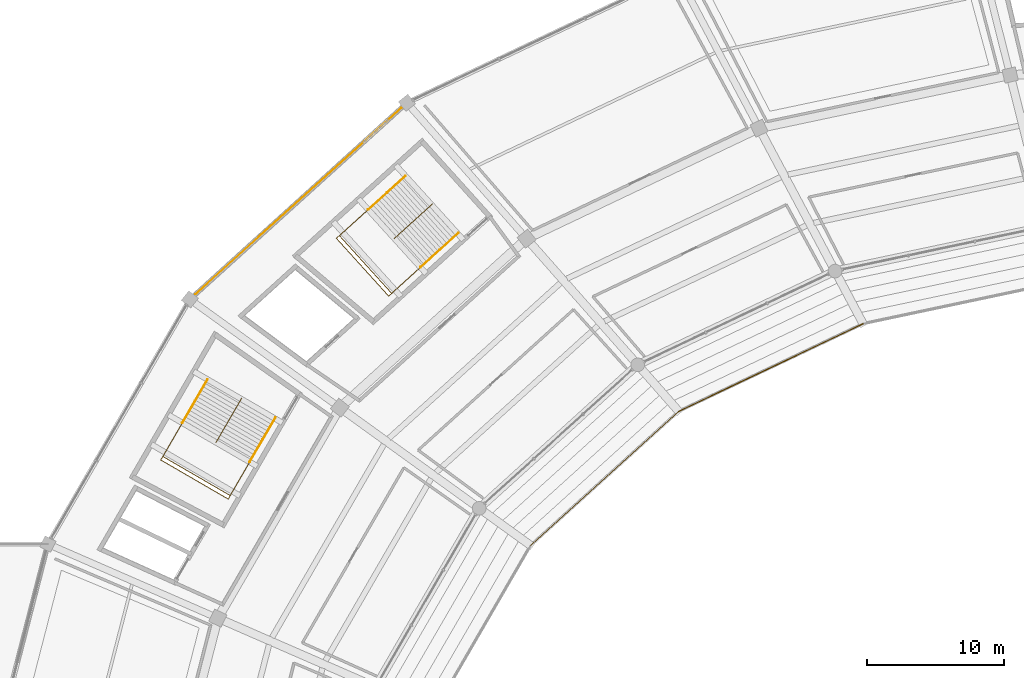
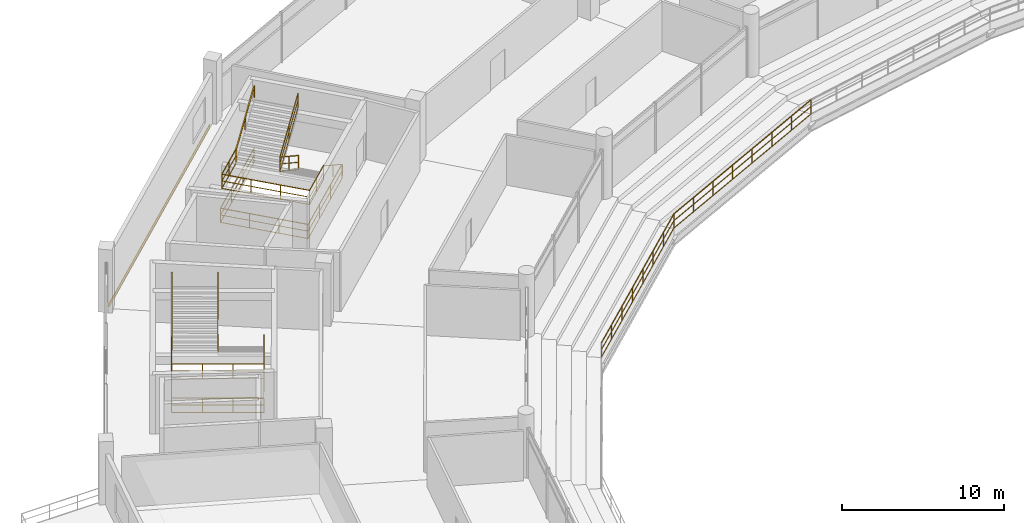
# One storey, part 169 of 171: 12 railings, 1 covering.
"""IFC4 building model written with IfcOpenShell, lengths in metres."""

from ifc_helpers import new_model, si_unit, direction, frame, origin, origin_2d, place, context, subcontext, project, spatial, rectangle, extrude, material, layer, layer_set, type_object, element, save


model = new_model("IFC4")

# Units and contexts
model_context = context("Model", 3, precision=1e-05, world=origin(), true_north=direction((0.0, 1.0)))
body_context = subcontext(model_context, "Body", "Model", "MODEL_VIEW")
ifc_project = project(units=[si_unit("LENGTHUNIT", "METRE"), si_unit("AREAUNIT", "SQUARE_METRE"), si_unit("VOLUMEUNIT", "CUBIC_METRE"), si_unit("PLANEANGLEUNIT", "RADIAN"), si_unit("MASSUNIT", "GRAM", prefix="KILO")], contexts=[model_context])

# Site, building, storey
site_placement = place(None, origin())
site = spatial("IfcSite", under=ifc_project, at=site_placement, CompositionType="ELEMENT")
building_placement = place(site_placement, origin())
building = spatial("IfcBuilding", under=site, at=building_placement, Name="Kazemori Nagisa Stadium", CompositionType="ELEMENT")
storey_placement = place(building_placement, frame((0.0, 0.0, 15.639892578125)))
storey = spatial("IfcBuildingStorey", under=building, at=storey_placement, Name="L03", CompositionType="ELEMENT", Elevation=15.639892578125)

# Covering
ifc_material_1 = material(Name="Anodised aluminium 6063-T5", Category="aluminium")
ifc_layer = layer(ifc_material_1, 0.034912109375, Name="Anodised aluminium 6063-T5", Category="aluminium")
ifc_layer_set = layer_set([ifc_layer], Name="Anodised aluminium 6063-T5")
covering_type = type_object("IfcCoveringType", Name="Covering_CLAD", PredefinedType="CLADDING", material=ifc_layer_set)
covering_placement = place(storey_placement, frame((52.453369140625, 165.86328125, -0.259765625), z_axis=(0.0, 0.0, 1.0), x_axis=(-0.741350875443, -0.671117634607, 0.0)))
element("IfcCovering", 1, at=covering_placement, inside=storey, type_object=covering_type, Name="Anodised fascia cladding L03-B11", PredefinedType="CLADDING", context=body_context, shape_type="SweptSolid", body=[
    extrude(rectangle(XDim=20.34375, YDim=0.0400390625, at=origin_2d()), origin(), (0.0, 0.0, 1.0), 0.260009765625),
])

# Railings
ifc_material_2 = material(Name="Laminated safety glass and stainless steel SUS304", Category="steel")
railing_type_1 = type_object("IfcRailingType", Name="Rail_BAL", PredefinedType="BALUSTRADE", material=ifc_material_2)
railing_1_placement = place(storey_placement, frame((93.80712890625, 156.876708984375, -1.519775390625)))
element("IfcRailing", 2, at=railing_1_placement, inside=storey, type_object=railing_type_1, Name="Club tier front balustrade B10", PredefinedType="BALUSTRADE", context=body_context, shape_type="SweptSolid", body=[
    extrude(rectangle(XDim=0.050048828125, YDim=0.050048828125, at=origin_2d()), frame((0.0, 0.0, 1.09521484375), z_axis=(-0.90321228594, -0.429194089575, 0.0), x_axis=(0.429194089575, -0.90321228594, 0.0)), (0.0, 0.0, 1.0), 14.945556640625),
    extrude(rectangle(XDim=0.03759765625, YDim=0.03759765625, at=origin_2d()), frame((0.0, 0.0, 0.58251953125), z_axis=(-0.90321228594, -0.429194089575, 0.0), x_axis=(0.429194089575, -0.90321228594, 0.0)), (0.0, 0.0, 1.0), 14.945556640625),
    extrude(rectangle(XDim=0.03759765625, YDim=0.03759765625, at=origin_2d()), frame((0.0, 0.0, 0.02490234375), z_axis=(-0.90321228594, -0.429194089575, 0.0), x_axis=(0.429194089575, -0.90321228594, 0.0)), (0.0, 0.0, 1.0), 14.945556640625),
    extrude(rectangle(XDim=0.044921875, YDim=0.044921875, at=origin_2d()), origin(), (0.0, 0.0, 1.0), 1.070068359375),
    extrude(rectangle(XDim=0.044921875, YDim=0.044921875, at=origin_2d()), frame((-1.928466796875, -0.916259765625, 0.0)), (0.0, 0.0, 1.0), 1.070068359375),
    extrude(rectangle(XDim=0.044921875, YDim=0.044921875, at=origin_2d()), frame((-3.85693359375, -1.832763671875, 0.0)), (0.0, 0.0, 1.0), 1.070068359375),
    extrude(rectangle(XDim=0.044921875, YDim=0.044921875, at=origin_2d()), frame((-5.785400390625, -2.7490234375, 0.0)), (0.0, 0.0, 1.0), 1.070068359375),
    extrude(rectangle(XDim=0.044921875, YDim=0.044921875, at=origin_2d()), frame((-7.713623046875, -3.66552734375, 0.0)), (0.0, 0.0, 1.0), 1.070068359375),
    extrude(rectangle(XDim=0.044921875, YDim=0.044921875, at=origin_2d()), frame((-9.64208984375, -4.581787109375, 0.0)), (0.0, 0.0, 1.0), 1.070068359375),
    extrude(rectangle(XDim=0.044921875, YDim=0.044921875, at=origin_2d()), frame((-11.570556640625, -5.498291015625, 0.0)), (0.0, 0.0, 1.0), 1.070068359375),
    extrude(rectangle(XDim=0.044921875, YDim=0.044921875, at=origin_2d()), frame((-13.4990234375, -6.41455078125, 0.0)), (0.0, 0.0, 1.0), 1.070068359375),
])
railing_2_placement = place(storey_placement, frame((80.30810546875, 150.462158203125, -1.519775390625)))
element("IfcRailing", 3, at=railing_2_placement, inside=storey, type_object=railing_type_1, Name="Club tier front balustrade B11", PredefinedType="BALUSTRADE", context=body_context, shape_type="SweptSolid", body=[
    extrude(rectangle(XDim=0.050048828125, YDim=0.050048828125, at=origin_2d()), frame((0.0, 0.0, 1.09521484375), z_axis=(-0.74134947659, -0.671119179848, 0.0), x_axis=(0.671119179848, -0.74134947659, 0.0)), (0.0, 0.0, 1.0), 14.624755859375),
    extrude(rectangle(XDim=0.03759765625, YDim=0.03759765625, at=origin_2d()), frame((0.0, 0.0, 0.58251953125), z_axis=(-0.74134947659, -0.671119179848, 0.0), x_axis=(0.671119179848, -0.74134947659, 0.0)), (0.0, 0.0, 1.0), 14.624755859375),
    extrude(rectangle(XDim=0.03759765625, YDim=0.03759765625, at=origin_2d()), frame((0.0, 0.0, 0.02490234375), z_axis=(-0.74134947659, -0.671119179848, 0.0), x_axis=(0.671119179848, -0.74134947659, 0.0)), (0.0, 0.0, 1.0), 14.624755859375),
    extrude(rectangle(XDim=0.044921875, YDim=0.044921875, at=origin_2d()), origin(), (0.0, 0.0, 1.0), 1.070068359375),
    extrude(rectangle(XDim=0.044921875, YDim=0.044921875, at=origin_2d()), frame((-1.548828125, -1.402099609375, 0.0)), (0.0, 0.0, 1.0), 1.070068359375),
    extrude(rectangle(XDim=0.044921875, YDim=0.044921875, at=origin_2d()), frame((-3.09765625, -2.80419921875, 0.0)), (0.0, 0.0, 1.0), 1.070068359375),
    extrude(rectangle(XDim=0.044921875, YDim=0.044921875, at=origin_2d()), frame((-4.646484375, -4.206298828125, 0.0)), (0.0, 0.0, 1.0), 1.070068359375),
    extrude(rectangle(XDim=0.044921875, YDim=0.044921875, at=origin_2d()), frame((-6.195556640625, -5.608642578125, 0.0)), (0.0, 0.0, 1.0), 1.070068359375),
    extrude(rectangle(XDim=0.044921875, YDim=0.044921875, at=origin_2d()), frame((-7.744384765625, -7.0107421875, 0.0)), (0.0, 0.0, 1.0), 1.070068359375),
    extrude(rectangle(XDim=0.044921875, YDim=0.044921875, at=origin_2d()), frame((-9.293212890625, -8.412841796875, 0.0)), (0.0, 0.0, 1.0), 1.070068359375),
    extrude(rectangle(XDim=0.044921875, YDim=0.044921875, at=origin_2d()), frame((-10.842041015625, -9.81494140625, 0.0)), (0.0, 0.0, 1.0), 1.070068359375),
])
ifc_material_3 = material(Name="Galvanised powder-coated steel", Category="steel")
railing_type_2 = type_object("IfcRailingType", Name="Rail_GUARD", PredefinedType="GUARDRAIL", material=ifc_material_3)
railing_3_placement = place(storey_placement, frame((64.12109375, 163.4794921875, 0.0)))
element("IfcRailing", 4, at=railing_3_placement, inside=storey, type_object=railing_type_2, Name="Stair well perimeter guard ST02-L03", PredefinedType="GUARDRAIL", context=body_context, shape_type="SweptSolid", body=[
    extrude(rectangle(XDim=0.050048828125, YDim=0.050048828125, at=origin_2d()), frame((0.0, 0.0, 1.09521484375), z_axis=(-0.741349748907, -0.671118879034, 0.0), x_axis=(0.671118879034, -0.741349748907, 0.0)), (0.0, 0.0, 1.0), 6.81005859375),
    extrude(rectangle(XDim=0.03759765625, YDim=0.03759765625, at=origin_2d()), frame((0.0, 0.0, 0.58251953125), z_axis=(-0.741349748907, -0.671118879034, 0.0), x_axis=(0.671118879034, -0.741349748907, 0.0)), (0.0, 0.0, 1.0), 6.81005859375),
    extrude(rectangle(XDim=0.03759765625, YDim=0.03759765625, at=origin_2d()), frame((0.0, 0.0, 0.02490234375), z_axis=(-0.741349748907, -0.671118879034, 0.0), x_axis=(0.671118879034, -0.741349748907, 0.0)), (0.0, 0.0, 1.0), 6.81005859375),
    extrude(rectangle(XDim=0.050048828125, YDim=0.050048828125, at=origin_2d()), frame((-5.048583984375, -4.5703125, 1.09521484375), z_axis=(-0.671110696127, 0.741357156534, 0.0), x_axis=(-0.741357156534, -0.671110696127, 0.0)), (0.0, 0.0, 1.0), 5.69970703125),
    extrude(rectangle(XDim=0.03759765625, YDim=0.03759765625, at=origin_2d()), frame((-5.048583984375, -4.5703125, 0.58251953125), z_axis=(-0.671110696127, 0.741357156534, 0.0), x_axis=(-0.741357156534, -0.671110696127, 0.0)), (0.0, 0.0, 1.0), 5.69970703125),
    extrude(rectangle(XDim=0.03759765625, YDim=0.03759765625, at=origin_2d()), frame((-5.048583984375, -4.5703125, 0.02490234375), z_axis=(-0.671110696127, 0.741357156534, 0.0), x_axis=(-0.741357156534, -0.671110696127, 0.0)), (0.0, 0.0, 1.0), 5.69970703125),
    extrude(rectangle(XDim=0.050048828125, YDim=0.050048828125, at=origin_2d()), frame((-8.873779296875, -0.3447265625, 1.09521484375), z_axis=(0.741349748907, 0.671118879034, 0.0), x_axis=(-0.671118879034, 0.741349748907, 0.0)), (0.0, 0.0, 1.0), 6.81005859375),
    extrude(rectangle(XDim=0.03759765625, YDim=0.03759765625, at=origin_2d()), frame((-8.873779296875, -0.3447265625, 0.58251953125), z_axis=(0.741349748907, 0.671118879034, 0.0), x_axis=(-0.671118879034, 0.741349748907, 0.0)), (0.0, 0.0, 1.0), 6.81005859375),
    extrude(rectangle(XDim=0.03759765625, YDim=0.03759765625, at=origin_2d()), frame((-8.873779296875, -0.3447265625, 0.02490234375), z_axis=(0.741349748907, 0.671118879034, 0.0), x_axis=(-0.671118879034, 0.741349748907, 0.0)), (0.0, 0.0, 1.0), 6.81005859375),
    extrude(rectangle(XDim=0.044921875, YDim=0.044921875, at=origin_2d()), origin(), (0.0, 0.0, 1.0), 1.070068359375),
    extrude(rectangle(XDim=0.044921875, YDim=0.044921875, at=origin_2d()), frame((-1.682861328125, -1.5234375, 0.0)), (0.0, 0.0, 1.0), 1.070068359375),
    extrude(rectangle(XDim=0.044921875, YDim=0.044921875, at=origin_2d()), frame((-3.36572265625, -3.046875, 0.0)), (0.0, 0.0, 1.0), 1.070068359375),
    extrude(rectangle(XDim=0.044921875, YDim=0.044921875, at=origin_2d()), frame((-5.048583984375, -4.5703125, 0.0)), (0.0, 0.0, 1.0), 1.070068359375),
    extrude(rectangle(XDim=0.044921875, YDim=0.044921875, at=origin_2d()), frame((-6.32373046875, -3.161865234375, 0.0)), (0.0, 0.0, 1.0), 1.070068359375),
    extrude(rectangle(XDim=0.044921875, YDim=0.044921875, at=origin_2d()), frame((-7.5986328125, -1.753173828125, 0.0)), (0.0, 0.0, 1.0), 1.070068359375),
    extrude(rectangle(XDim=0.044921875, YDim=0.044921875, at=origin_2d()), frame((-8.873779296875, -0.3447265625, 0.0)), (0.0, 0.0, 1.0), 1.070068359375),
    extrude(rectangle(XDim=0.044921875, YDim=0.044921875, at=origin_2d()), frame((-7.19091796875, 1.1787109375, 0.0)), (0.0, 0.0, 1.0), 1.070068359375),
    extrude(rectangle(XDim=0.044921875, YDim=0.044921875, at=origin_2d()), frame((-5.508056640625, 2.7021484375, 0.0)), (0.0, 0.0, 1.0), 1.070068359375),
    extrude(rectangle(XDim=0.044921875, YDim=0.044921875, at=origin_2d()), frame((-3.8251953125, 4.2255859375, 0.0)), (0.0, 0.0, 1.0), 1.070068359375),
])
railing_4_placement = place(storey_placement, frame((62.267822265625, 165.64599609375, 0.0)))
element("IfcRailing", 5, at=railing_4_placement, inside=storey, type_object=railing_type_2, Name="Stair central guard ST02-L03", PredefinedType="GUARDRAIL", context=body_context, shape_type="SweptSolid", body=[
    extrude(rectangle(XDim=0.050048828125, YDim=0.050048828125, at=origin_2d()), frame((0.0, 0.0, 1.09521484375), z_axis=(-0.626150634945, -0.566841506219, 0.535374718478), x_axis=(0.671124405314, -0.741344746114, 0.0)), (0.0, 0.0, 1.0), 4.44580078125),
    extrude(rectangle(XDim=0.03759765625, YDim=0.03759765625, at=origin_2d()), frame((0.0, 0.0, 0.58251953125), z_axis=(-0.626150634945, -0.566841506219, 0.535374718478), x_axis=(0.671124405314, -0.741344746114, 0.0)), (0.0, 0.0, 1.0), 4.44580078125),
    extrude(rectangle(XDim=0.03759765625, YDim=0.03759765625, at=origin_2d()), frame((0.0, 0.0, 0.02490234375), z_axis=(-0.626150634945, -0.566841506219, 0.535374718478), x_axis=(0.671124405314, -0.741344746114, 0.0)), (0.0, 0.0, 1.0), 4.44580078125),
    extrude(rectangle(XDim=0.050048828125, YDim=0.050048828125, at=origin_2d()), frame((-2.78369140625, -2.52001953125, 3.47509765625), z_axis=(0.622256089767, 0.563314904456, 0.543574904834), x_axis=(-0.671123784078, 0.741345308506, 0.0)), (0.0, 0.0, 1.0), 4.378173828125),
    extrude(rectangle(XDim=0.03759765625, YDim=0.03759765625, at=origin_2d()), frame((-2.78369140625, -2.52001953125, 2.962646484375), z_axis=(0.622256089767, 0.563314904456, 0.543574904834), x_axis=(-0.671123784078, 0.741345308506, 0.0)), (0.0, 0.0, 1.0), 4.378173828125),
    extrude(rectangle(XDim=0.03759765625, YDim=0.03759765625, at=origin_2d()), frame((-2.78369140625, -2.52001953125, 2.4052734375), z_axis=(0.622256089767, 0.563314904456, 0.543574904834), x_axis=(-0.671123784078, 0.741345308506, 0.0)), (0.0, 0.0, 1.0), 4.378173828125),
    extrude(rectangle(XDim=0.044921875, YDim=0.044921875, at=origin_2d()), origin(), (0.0, 0.0, 1.0), 1.070068359375),
    extrude(rectangle(XDim=0.044921875, YDim=0.044921875, at=origin_2d()), frame((-1.391845703125, -1.260009765625, 1.18994140625)), (0.0, 0.0, 1.0), 1.070068359375),
    extrude(rectangle(XDim=0.044921875, YDim=0.044921875, at=origin_2d()), frame((-2.78369140625, -2.52001953125, 2.380126953125)), (0.0, 0.0, 1.0), 1.070068359375),
    extrude(rectangle(XDim=0.044921875, YDim=0.044921875, at=origin_2d()), frame((-1.42138671875, -1.286865234375, 3.570068359375)), (0.0, 0.0, 1.0), 1.070068359375),
    extrude(rectangle(XDim=0.044921875, YDim=0.044921875, at=origin_2d()), frame((-0.059326171875, -0.0537109375, 4.760009765625)), (0.0, 0.0, 1.0), 1.070068359375),
])
railing_5_placement = place(storey_placement, frame((61.396728515625, 161.01318359375, 2.380126953125)))
element("IfcRailing", 6, at=railing_5_placement, inside=storey, type_object=railing_type_2, Name="Stair landing guard ST02-L03", PredefinedType="GUARDRAIL", context=body_context, shape_type="SweptSolid", body=[
    extrude(rectangle(XDim=0.050048828125, YDim=0.050048828125, at=origin_2d()), frame((0.0, 0.0, 1.09521484375), z_axis=(-0.741314535645, -0.671157775223, 0.0), x_axis=(0.671157775223, -0.741314535645, 0.0)), (0.0, 0.0, 1.0), 2.85009765625),
    extrude(rectangle(XDim=0.03759765625, YDim=0.03759765625, at=origin_2d()), frame((0.0, 0.0, 0.58251953125), z_axis=(-0.741314535645, -0.671157775223, 0.0), x_axis=(0.671157775223, -0.741314535645, 0.0)), (0.0, 0.0, 1.0), 2.85009765625),
    extrude(rectangle(XDim=0.03759765625, YDim=0.03759765625, at=origin_2d()), frame((0.0, 0.0, 0.02490234375), z_axis=(-0.741314535645, -0.671157775223, 0.0), x_axis=(0.671157775223, -0.741314535645, 0.0)), (0.0, 0.0, 1.0), 2.85009765625),
    extrude(rectangle(XDim=0.050048828125, YDim=0.050048828125, at=origin_2d()), frame((-2.11279296875, -1.912841796875, 1.09521484375), z_axis=(-0.671112926645, 0.74135513736, 0.0), x_axis=(-0.74135513736, -0.671112926645, 0.0)), (0.0, 0.0, 1.0), 5.7001953125),
    extrude(rectangle(XDim=0.03759765625, YDim=0.03759765625, at=origin_2d()), frame((-2.11279296875, -1.912841796875, 0.58251953125), z_axis=(-0.671112926645, 0.74135513736, 0.0), x_axis=(-0.74135513736, -0.671112926645, 0.0)), (0.0, 0.0, 1.0), 5.7001953125),
    extrude(rectangle(XDim=0.03759765625, YDim=0.03759765625, at=origin_2d()), frame((-2.11279296875, -1.912841796875, 0.02490234375), z_axis=(-0.671112926645, 0.74135513736, 0.0), x_axis=(-0.74135513736, -0.671112926645, 0.0)), (0.0, 0.0, 1.0), 5.7001953125),
    extrude(rectangle(XDim=0.050048828125, YDim=0.050048828125, at=origin_2d()), frame((-5.938232421875, 2.31298828125, 1.09521484375), z_axis=(0.741357156534, 0.671110696127, 0.0), x_axis=(-0.671110696127, 0.741357156534, 0.0)), (0.0, 0.0, 1.0), 2.849853515625),
    extrude(rectangle(XDim=0.03759765625, YDim=0.03759765625, at=origin_2d()), frame((-5.938232421875, 2.31298828125, 0.58251953125), z_axis=(0.741357156534, 0.671110696127, 0.0), x_axis=(-0.671110696127, 0.741357156534, 0.0)), (0.0, 0.0, 1.0), 2.849853515625),
    extrude(rectangle(XDim=0.03759765625, YDim=0.03759765625, at=origin_2d()), frame((-5.938232421875, 2.31298828125, 0.02490234375), z_axis=(0.741357156534, 0.671110696127, 0.0), x_axis=(-0.671110696127, 0.741357156534, 0.0)), (0.0, 0.0, 1.0), 2.849853515625),
    extrude(rectangle(XDim=0.044921875, YDim=0.044921875, at=origin_2d()), origin(), (0.0, 0.0, 1.0), 1.070068359375),
    extrude(rectangle(XDim=0.044921875, YDim=0.044921875, at=origin_2d()), frame((-1.056396484375, -0.95654296875, 0.0)), (0.0, 0.0, 1.0), 1.070068359375),
    extrude(rectangle(XDim=0.044921875, YDim=0.044921875, at=origin_2d()), frame((-2.11279296875, -1.912841796875, 0.0)), (0.0, 0.0, 1.0), 1.070068359375),
    extrude(rectangle(XDim=0.044921875, YDim=0.044921875, at=origin_2d()), frame((-3.387939453125, -0.504150390625, 0.0)), (0.0, 0.0, 1.0), 1.070068359375),
    extrude(rectangle(XDim=0.044921875, YDim=0.044921875, at=origin_2d()), frame((-4.6630859375, 0.904296875, 0.0)), (0.0, 0.0, 1.0), 1.070068359375),
    extrude(rectangle(XDim=0.044921875, YDim=0.044921875, at=origin_2d()), frame((-5.938232421875, 2.31298828125, 0.0)), (0.0, 0.0, 1.0), 1.070068359375),
    extrude(rectangle(XDim=0.044921875, YDim=0.044921875, at=origin_2d()), frame((-4.8818359375, 3.269287109375, 0.0)), (0.0, 0.0, 1.0), 1.070068359375),
    extrude(rectangle(XDim=0.044921875, YDim=0.044921875, at=origin_2d()), frame((-3.825439453125, 4.2255859375, 0.0)), (0.0, 0.0, 1.0), 1.070068359375),
])
railing_6_placement = place(storey_placement, frame((50.736083984375, 149.940673828125, 0.0)))
element("IfcRailing", 7, at=railing_6_placement, inside=storey, type_object=railing_type_2, Name="Stair well perimeter guard ST08-L03", PredefinedType="GUARDRAIL", context=body_context, shape_type="SweptSolid", body=[
    extrude(rectangle(XDim=0.050048828125, YDim=0.050048828125, at=origin_2d()), frame((0.0, 0.0, 1.09521484375), z_axis=(-0.501611319664, -0.865093107119, 0.0), x_axis=(0.865093107119, -0.501611319664, 0.0)), (0.0, 0.0, 1.0), 6.81005859375),
    extrude(rectangle(XDim=0.03759765625, YDim=0.03759765625, at=origin_2d()), frame((0.0, 0.0, 0.58251953125), z_axis=(-0.501611319664, -0.865093107119, 0.0), x_axis=(0.865093107119, -0.501611319664, 0.0)), (0.0, 0.0, 1.0), 6.81005859375),
    extrude(rectangle(XDim=0.03759765625, YDim=0.03759765625, at=origin_2d()), frame((0.0, 0.0, 0.02490234375), z_axis=(-0.501611319664, -0.865093107119, 0.0), x_axis=(0.865093107119, -0.501611319664, 0.0)), (0.0, 0.0, 1.0), 6.81005859375),
    extrude(rectangle(XDim=0.050048828125, YDim=0.050048828125, at=origin_2d()), frame((-3.416015625, -5.891357421875, 1.09521484375), z_axis=(-0.865091784601, 0.501613600508, 0.0), x_axis=(-0.501613600508, -0.865091784601, 0.0)), (0.0, 0.0, 1.0), 5.699951171875),
    extrude(rectangle(XDim=0.03759765625, YDim=0.03759765625, at=origin_2d()), frame((-3.416015625, -5.891357421875, 0.58251953125), z_axis=(-0.865091784601, 0.501613600508, 0.0), x_axis=(-0.501613600508, -0.865091784601, 0.0)), (0.0, 0.0, 1.0), 5.699951171875),
    extrude(rectangle(XDim=0.03759765625, YDim=0.03759765625, at=origin_2d()), frame((-3.416015625, -5.891357421875, 0.02490234375), z_axis=(-0.865091784601, 0.501613600508, 0.0), x_axis=(-0.501613600508, -0.865091784601, 0.0)), (0.0, 0.0, 1.0), 5.699951171875),
    extrude(rectangle(XDim=0.050048828125, YDim=0.050048828125, at=origin_2d()), frame((-8.346923828125, -3.0322265625, 1.09521484375), z_axis=(0.501611319664, 0.865093107119, 0.0), x_axis=(-0.865093107119, 0.501611319664, 0.0)), (0.0, 0.0, 1.0), 6.81005859375),
    extrude(rectangle(XDim=0.03759765625, YDim=0.03759765625, at=origin_2d()), frame((-8.346923828125, -3.0322265625, 0.58251953125), z_axis=(0.501611319664, 0.865093107119, 0.0), x_axis=(-0.865093107119, 0.501611319664, 0.0)), (0.0, 0.0, 1.0), 6.81005859375),
    extrude(rectangle(XDim=0.03759765625, YDim=0.03759765625, at=origin_2d()), frame((-8.346923828125, -3.0322265625, 0.02490234375), z_axis=(0.501611319664, 0.865093107119, 0.0), x_axis=(-0.865093107119, 0.501611319664, 0.0)), (0.0, 0.0, 1.0), 6.81005859375),
    extrude(rectangle(XDim=0.044921875, YDim=0.044921875, at=origin_2d()), origin(), (0.0, 0.0, 1.0), 1.070068359375),
    extrude(rectangle(XDim=0.044921875, YDim=0.044921875, at=origin_2d()), frame((-1.138671875, -1.9638671875, 0.0)), (0.0, 0.0, 1.0), 1.070068359375),
    extrude(rectangle(XDim=0.044921875, YDim=0.044921875, at=origin_2d()), frame((-2.27734375, -3.927490234375, 0.0)), (0.0, 0.0, 1.0), 1.070068359375),
    extrude(rectangle(XDim=0.044921875, YDim=0.044921875, at=origin_2d()), frame((-3.416015625, -5.891357421875, 0.0)), (0.0, 0.0, 1.0), 1.070068359375),
    extrude(rectangle(XDim=0.044921875, YDim=0.044921875, at=origin_2d()), frame((-5.0595703125, -4.938232421875, 0.0)), (0.0, 0.0, 1.0), 1.070068359375),
    extrude(rectangle(XDim=0.044921875, YDim=0.044921875, at=origin_2d()), frame((-6.703369140625, -3.9853515625, 0.0)), (0.0, 0.0, 1.0), 1.070068359375),
    extrude(rectangle(XDim=0.044921875, YDim=0.044921875, at=origin_2d()), frame((-8.346923828125, -3.0322265625, 0.0)), (0.0, 0.0, 1.0), 1.070068359375),
    extrude(rectangle(XDim=0.044921875, YDim=0.044921875, at=origin_2d()), frame((-7.208251953125, -1.068359375, 0.0)), (0.0, 0.0, 1.0), 1.070068359375),
    extrude(rectangle(XDim=0.044921875, YDim=0.044921875, at=origin_2d()), frame((-6.069580078125, 0.895263671875, 0.0)), (0.0, 0.0, 1.0), 1.070068359375),
    extrude(rectangle(XDim=0.044921875, YDim=0.044921875, at=origin_2d()), frame((-4.930908203125, 2.859130859375, 0.0)), (0.0, 0.0, 1.0), 1.070068359375),
])
railing_7_placement = place(storey_placement, frame((48.310791015625, 151.439453125, 0.0)))
element("IfcRailing", 8, at=railing_7_placement, inside=storey, type_object=railing_type_2, Name="Stair central guard ST08-L03", PredefinedType="GUARDRAIL", context=body_context, shape_type="SweptSolid", body=[
    extrude(rectangle(XDim=0.050048828125, YDim=0.050048828125, at=origin_2d()), frame((0.0, 0.0, 1.09521484375), z_axis=(-0.423662078125, -0.73068666384, 0.535357303906), x_axis=(0.865101159018, -0.501597432874, 0.0)), (0.0, 0.0, 1.0), 4.44580078125),
    extrude(rectangle(XDim=0.03759765625, YDim=0.03759765625, at=origin_2d()), frame((0.0, 0.0, 0.58251953125), z_axis=(-0.423662078125, -0.73068666384, 0.535357303906), x_axis=(0.865101159018, -0.501597432874, 0.0)), (0.0, 0.0, 1.0), 4.44580078125),
    extrude(rectangle(XDim=0.03759765625, YDim=0.03759765625, at=origin_2d()), frame((0.0, 0.0, 0.02490234375), z_axis=(-0.423662078125, -0.73068666384, 0.535357303906), x_axis=(0.865101159018, -0.501597432874, 0.0)), (0.0, 0.0, 1.0), 4.44580078125),
    extrude(rectangle(XDim=0.050048828125, YDim=0.050048828125, at=origin_2d()), frame((-1.883544921875, -3.24853515625, 3.47509765625), z_axis=(0.421007616237, 0.726140553462, 0.54357380703), x_axis=(-0.865110756676, 0.501580879504, 0.0)), (0.0, 0.0, 1.0), 4.378173828125),
    extrude(rectangle(XDim=0.03759765625, YDim=0.03759765625, at=origin_2d()), frame((-1.883544921875, -3.24853515625, 2.962646484375), z_axis=(0.421007616237, 0.726140553462, 0.54357380703), x_axis=(-0.865110756676, 0.501580879504, 0.0)), (0.0, 0.0, 1.0), 4.378173828125),
    extrude(rectangle(XDim=0.03759765625, YDim=0.03759765625, at=origin_2d()), frame((-1.883544921875, -3.24853515625, 2.4052734375), z_axis=(0.421007616237, 0.726140553462, 0.54357380703), x_axis=(-0.865110756676, 0.501580879504, 0.0)), (0.0, 0.0, 1.0), 4.378173828125),
    extrude(rectangle(XDim=0.044921875, YDim=0.044921875, at=origin_2d()), origin(), (0.0, 0.0, 1.0), 1.070068359375),
    extrude(rectangle(XDim=0.044921875, YDim=0.044921875, at=origin_2d()), frame((-0.94189453125, -1.624267578125, 1.18994140625)), (0.0, 0.0, 1.0), 1.070068359375),
    extrude(rectangle(XDim=0.044921875, YDim=0.044921875, at=origin_2d()), frame((-1.883544921875, -3.24853515625, 2.380126953125)), (0.0, 0.0, 1.0), 1.070068359375),
    extrude(rectangle(XDim=0.044921875, YDim=0.044921875, at=origin_2d()), frame((-0.9619140625, -1.658935546875, 3.570068359375)), (0.0, 0.0, 1.0), 1.070068359375),
    extrude(rectangle(XDim=0.044921875, YDim=0.044921875, at=origin_2d()), frame((-0.040283203125, -0.0693359375, 4.760009765625)), (0.0, 0.0, 1.0), 1.070068359375),
])
railing_8_placement = place(storey_placement, frame((48.892578125, 146.761474609375, 2.380126953125)))
element("IfcRailing", 9, at=railing_8_placement, inside=storey, type_object=railing_type_2, Name="Stair landing guard ST08-L03", PredefinedType="GUARDRAIL", context=body_context, shape_type="SweptSolid", body=[
    extrude(rectangle(XDim=0.050048828125, YDim=0.050048828125, at=origin_2d()), frame((0.0, 0.0, 1.09521484375), z_axis=(-0.501562958255, -0.865121146954, 0.0), x_axis=(0.865121146954, -0.501562958255, 0.0)), (0.0, 0.0, 1.0), 2.85009765625),
    extrude(rectangle(XDim=0.03759765625, YDim=0.03759765625, at=origin_2d()), frame((0.0, 0.0, 0.58251953125), z_axis=(-0.501562958255, -0.865121146954, 0.0), x_axis=(0.865121146954, -0.501562958255, 0.0)), (0.0, 0.0, 1.0), 2.85009765625),
    extrude(rectangle(XDim=0.03759765625, YDim=0.03759765625, at=origin_2d()), frame((0.0, 0.0, 0.02490234375), z_axis=(-0.501562958255, -0.865121146954, 0.0), x_axis=(0.865121146954, -0.501562958255, 0.0)), (0.0, 0.0, 1.0), 2.85009765625),
    extrude(rectangle(XDim=0.050048828125, YDim=0.050048828125, at=origin_2d()), frame((-1.429443359375, -2.465576171875, 1.09521484375), z_axis=(-0.865102561401, 0.501595014188, 0.0), x_axis=(-0.501595014188, -0.865102561401, 0.0)), (0.0, 0.0, 1.0), 5.7001953125),
    extrude(rectangle(XDim=0.03759765625, YDim=0.03759765625, at=origin_2d()), frame((-1.429443359375, -2.465576171875, 0.58251953125), z_axis=(-0.865102561401, 0.501595014188, 0.0), x_axis=(-0.501595014188, -0.865102561401, 0.0)), (0.0, 0.0, 1.0), 5.7001953125),
    extrude(rectangle(XDim=0.03759765625, YDim=0.03759765625, at=origin_2d()), frame((-1.429443359375, -2.465576171875, 0.02490234375), z_axis=(-0.865102561401, 0.501595014188, 0.0), x_axis=(-0.501595014188, -0.865102561401, 0.0)), (0.0, 0.0, 1.0), 5.7001953125),
    extrude(rectangle(XDim=0.050048828125, YDim=0.050048828125, at=origin_2d()), frame((-6.360595703125, 0.3935546875, 1.09521484375), z_axis=(0.501627068055, 0.865083975458, 0.0), x_axis=(-0.865083975458, 0.501627068055, 0.0)), (0.0, 0.0, 1.0), 2.85009765625),
    extrude(rectangle(XDim=0.03759765625, YDim=0.03759765625, at=origin_2d()), frame((-6.360595703125, 0.3935546875, 0.58251953125), z_axis=(0.501627068055, 0.865083975458, 0.0), x_axis=(-0.865083975458, 0.501627068055, 0.0)), (0.0, 0.0, 1.0), 2.85009765625),
    extrude(rectangle(XDim=0.03759765625, YDim=0.03759765625, at=origin_2d()), frame((-6.360595703125, 0.3935546875, 0.02490234375), z_axis=(0.501627068055, 0.865083975458, 0.0), x_axis=(-0.865083975458, 0.501627068055, 0.0)), (0.0, 0.0, 1.0), 2.85009765625),
    extrude(rectangle(XDim=0.044921875, YDim=0.044921875, at=origin_2d()), origin(), (0.0, 0.0, 1.0), 1.070068359375),
    extrude(rectangle(XDim=0.044921875, YDim=0.044921875, at=origin_2d()), frame((-0.71484375, -1.23291015625, 0.0)), (0.0, 0.0, 1.0), 1.070068359375),
    extrude(rectangle(XDim=0.044921875, YDim=0.044921875, at=origin_2d()), frame((-1.429443359375, -2.465576171875, 0.0)), (0.0, 0.0, 1.0), 1.070068359375),
    extrude(rectangle(XDim=0.044921875, YDim=0.044921875, at=origin_2d()), frame((-3.0732421875, -1.512451171875, 0.0)), (0.0, 0.0, 1.0), 1.070068359375),
    extrude(rectangle(XDim=0.044921875, YDim=0.044921875, at=origin_2d()), frame((-4.716796875, -0.5595703125, 0.0)), (0.0, 0.0, 1.0), 1.070068359375),
    extrude(rectangle(XDim=0.044921875, YDim=0.044921875, at=origin_2d()), frame((-6.360595703125, 0.3935546875, 0.0)), (0.0, 0.0, 1.0), 1.070068359375),
    extrude(rectangle(XDim=0.044921875, YDim=0.044921875, at=origin_2d()), frame((-5.645751953125, 1.62646484375, 0.0)), (0.0, 0.0, 1.0), 1.070068359375),
    extrude(rectangle(XDim=0.044921875, YDim=0.044921875, at=origin_2d()), frame((-4.930908203125, 2.859130859375, 0.0)), (0.0, 0.0, 1.0), 1.070068359375),
])
ifc_material_4 = material(Name="Stainless steel SUS304", Category="steel")
railing_type_3 = type_object("IfcRailingType", Name="Rail_HAND", PredefinedType="HANDRAIL", material=ifc_material_4)
railing_9_placement = place(storey_placement, frame((64.180419921875, 163.533203125, 0.170166015625)))
element("IfcRailing", 10, at=railing_9_placement, inside=storey, type_object=railing_type_3, Name="Stair handrail ST02-L03-F1", PredefinedType="HANDRAIL", context=body_context, shape_type="SweptSolid", body=[
    extrude(rectangle(XDim=0.050048828125, YDim=0.050048828125, at=origin_2d()), frame((0.0, 0.0, 0.875), z_axis=(-0.626169043994, -0.566858171558, 0.535335541208), x_axis=(0.671124405314, -0.741344746114, 0.0)), (0.0, 0.0, 1.0), 4.445556640625),
    extrude(rectangle(XDim=0.044921875, YDim=0.044921875, at=origin_2d()), origin(), (0.0, 0.0, 1.0), 0.849853515625),
    extrude(rectangle(XDim=0.044921875, YDim=0.044921875, at=origin_2d()), frame((-1.391845703125, -1.260009765625, 1.18994140625)), (0.0, 0.0, 1.0), 0.849853515625),
    extrude(rectangle(XDim=0.044921875, YDim=0.044921875, at=origin_2d()), frame((-2.78369140625, -2.52001953125, 2.3798828125)), (0.0, 0.0, 1.0), 0.849853515625),
])
railing_10_placement = place(storey_placement, frame((57.5712890625, 165.23876953125, 2.550048828125)))
element("IfcRailing", 11, at=railing_10_placement, inside=storey, type_object=railing_type_3, Name="Stair handrail ST02-L03-F2", PredefinedType="HANDRAIL", context=body_context, shape_type="SweptSolid", body=[
    extrude(rectangle(XDim=0.050048828125, YDim=0.050048828125, at=origin_2d()), frame((0.0, 0.0, 0.875), z_axis=(0.622271398058, 0.563278285232, 0.543595327928), x_axis=(-0.671090731464, 0.741375228978, 0.0)), (0.0, 0.0, 1.0), 4.37841796875),
    extrude(rectangle(XDim=0.044921875, YDim=0.044921875, at=origin_2d()), origin(), (0.0, 0.0, 1.0), 0.849853515625),
    extrude(rectangle(XDim=0.044921875, YDim=0.044921875, at=origin_2d()), frame((1.3623046875, 1.233154296875, 1.18994140625)), (0.0, 0.0, 1.0), 0.849853515625),
    extrude(rectangle(XDim=0.044921875, YDim=0.044921875, at=origin_2d()), frame((2.724609375, 2.46630859375, 2.380126953125)), (0.0, 0.0, 1.0), 0.849853515625),
])
railing_11_placement = place(storey_placement, frame((50.776123046875, 150.009765625, 0.170166015625)))
element("IfcRailing", 12, at=railing_11_placement, inside=storey, type_object=railing_type_3, Name="Stair handrail ST08-L03-F1", PredefinedType="HANDRAIL", context=body_context, shape_type="SweptSolid", body=[
    extrude(rectangle(XDim=0.050048828125, YDim=0.050048828125, at=origin_2d()), frame((0.0, 0.0, 0.875), z_axis=(-0.423691534445, -0.730682549033, 0.535339608266), x_axis=(0.865084799646, -0.501625646694, 0.0)), (0.0, 0.0, 1.0), 4.445556640625),
    extrude(rectangle(XDim=0.044921875, YDim=0.044921875, at=origin_2d()), origin(), (0.0, 0.0, 1.0), 0.849853515625),
    extrude(rectangle(XDim=0.044921875, YDim=0.044921875, at=origin_2d()), frame((-0.94189453125, -1.6240234375, 1.18994140625)), (0.0, 0.0, 1.0), 0.849853515625),
    extrude(rectangle(XDim=0.044921875, YDim=0.044921875, at=origin_2d()), frame((-1.883544921875, -3.248291015625, 2.3798828125)), (0.0, 0.0, 1.0), 0.849853515625),
])
railing_12_placement = place(storey_placement, frame((43.961669921875, 149.62060546875, 2.550048828125)))
element("IfcRailing", 13, at=railing_12_placement, inside=storey, type_object=railing_type_3, Name="Stair handrail ST08-L03-F2", PredefinedType="HANDRAIL", context=body_context, shape_type="SweptSolid", body=[
    extrude(rectangle(XDim=0.050048828125, YDim=0.050048828125, at=origin_2d()), frame((0.0, 0.0, 0.875), z_axis=(0.421040731379, 0.726101497022, 0.543600329785), x_axis=(-0.865081928726, 0.501630597743, 0.0)), (0.0, 0.0, 1.0), 4.37841796875),
    extrude(rectangle(XDim=0.044921875, YDim=0.044921875, at=origin_2d()), origin(), (0.0, 0.0, 1.0), 0.849853515625),
    extrude(rectangle(XDim=0.044921875, YDim=0.044921875, at=origin_2d()), frame((0.921875, 1.589599609375, 1.18994140625)), (0.0, 0.0, 1.0), 0.849853515625),
    extrude(rectangle(XDim=0.044921875, YDim=0.044921875, at=origin_2d()), frame((1.843505859375, 3.17919921875, 2.380126953125)), (0.0, 0.0, 1.0), 0.849853515625),
])

save(model, "model.ifc")
